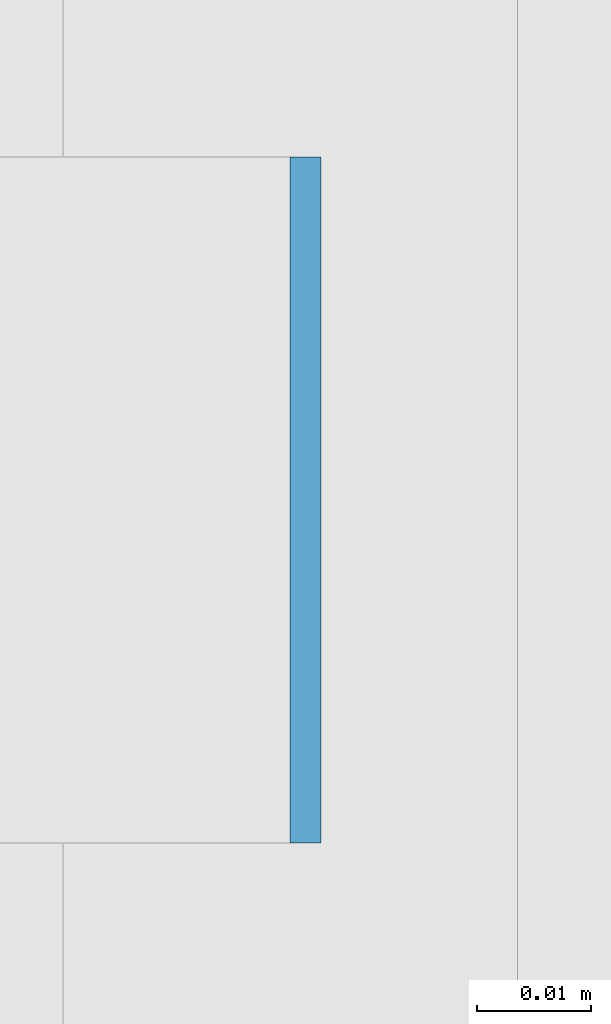
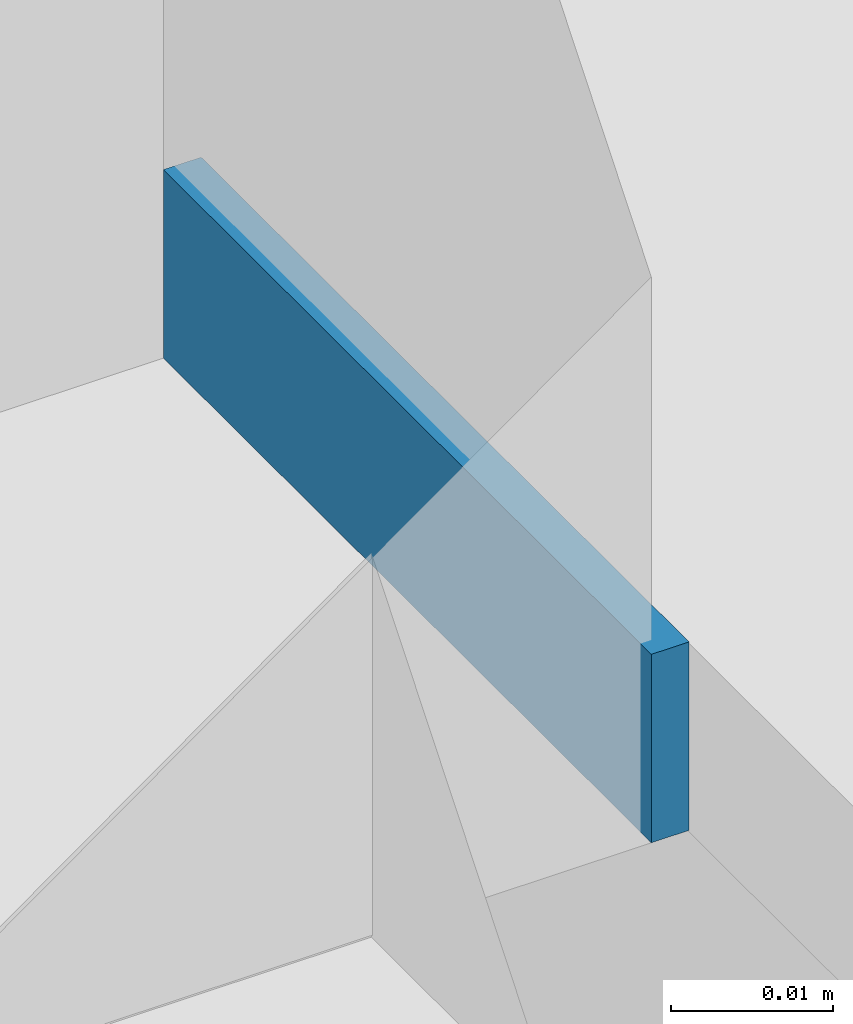
# One storey, part 362 of 646: 1 discrete accessory.
"""IFC4 building model written with IfcOpenShell, lengths in metres."""

from ifc_helpers import new_model, si_unit, direction, frame, origin, origin_2d, place, context, subcontext, project, spatial, rectangle, extrude, material, type_object, element, save


model = new_model("IFC4")

# Units and contexts
model_context = context("Model", 3, precision=1e-05, world=origin(), true_north=direction((0.0, 1.0)))
body_context = subcontext(model_context, "Body", "Model", "MODEL_VIEW")
ifc_project = project(units=[si_unit("LENGTHUNIT", "METRE"), si_unit("AREAUNIT", "SQUARE_METRE"), si_unit("VOLUMEUNIT", "CUBIC_METRE"), si_unit("PLANEANGLEUNIT", "RADIAN"), si_unit("MASSUNIT", "GRAM", prefix="KILO")], contexts=[model_context])

# Site, building, storey
site_placement = place(None, origin())
site = spatial("IfcSite", under=ifc_project, at=site_placement, CompositionType="ELEMENT")
building_placement = place(site_placement, origin())
building = spatial("IfcBuilding", under=site, at=building_placement, Name="Silverbay Arena", CompositionType="ELEMENT")
storey_placement = place(building_placement, frame((0.0, 0.0, 33.5)))
storey = spatial("IfcBuildingStorey", under=building, at=storey_placement, Name="L05", CompositionType="ELEMENT", Elevation=33.5)

# Discrete accessory
ifc_material = material(Name="Steel S355", Category="steel")
discrete_accessory_type = type_object("IfcDiscreteAccessoryType", Name="Steel bracket plate", PredefinedType="BRACKET", material=ifc_material)
discrete_accessory_placement = place(storey_placement, frame((53.871337890625, 97.71435546875, 4.0), z_axis=(0.0, 0.0, 1.0), x_axis=(1.0, 0.0, 0.0)))
element("IfcDiscreteAccessory", 1, at=discrete_accessory_placement, inside=storey, type_object=discrete_accessory_type, Name="Curtain wall packing plate", PredefinedType="BRACKET", context=body_context, shape_type="SweptSolid", body=[
    extrude(rectangle(XDim=0.002685546875, YDim=0.06005859375, at=origin_2d()), origin(), (0.0, 0.0, 1.0), 0.01416015625),
])

save(model, "model.ifc")
